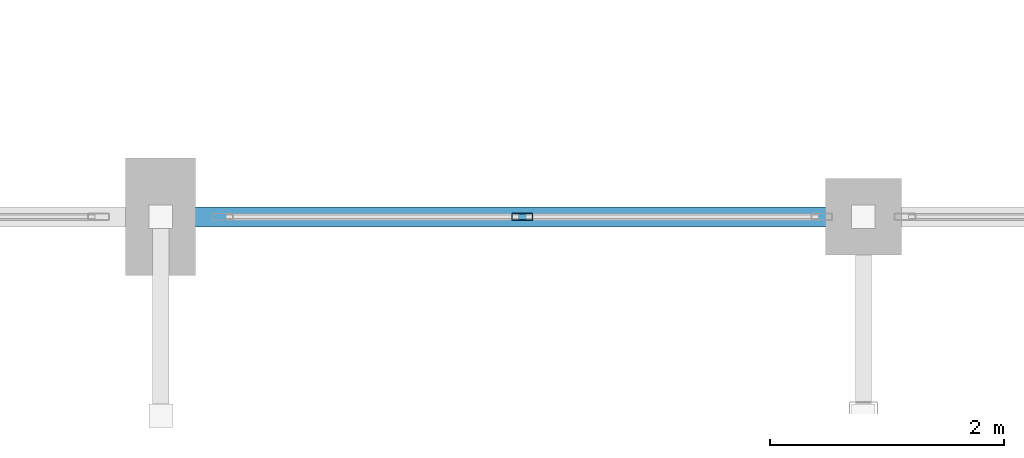
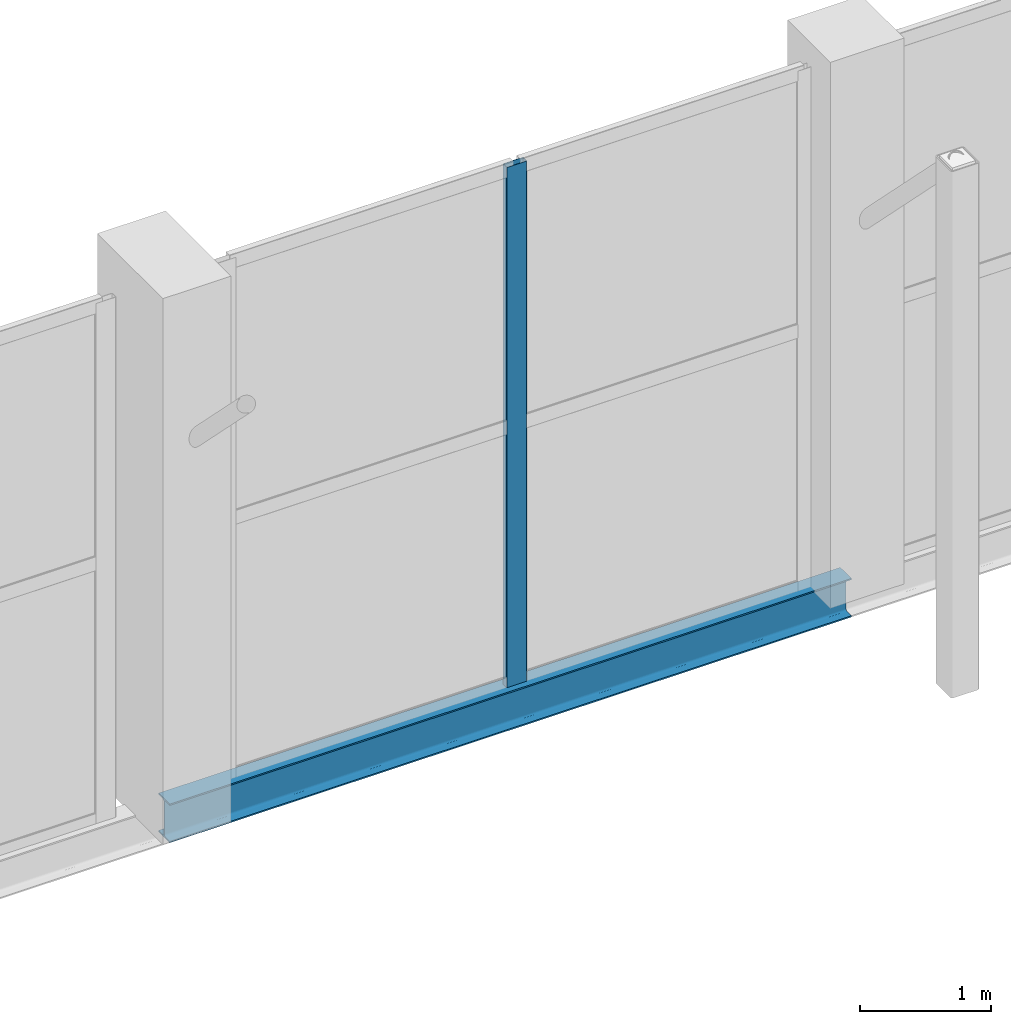
# One storey, part 23 of 127: 1 beam, 1 member, 1 element without a shape of its own.
"""IFC4 building model written with IfcOpenShell, lengths in metres."""

from ifc_helpers import new_model, si_unit, direction, frame, origin, origin_2d, place, context, subcontext, project, spatial, hollow_rectangle, i_section, extrude, material, layer, layer_set, material_profile, profile_set, type_object, element, aggregate, save


model = new_model("IFC4")

# Units and contexts
model_context = context("Model", 3, precision=1e-05, world=origin(), true_north=direction((0.0, 1.0)))
body_context = subcontext(model_context, "Body", "Model", "MODEL_VIEW")
ifc_project = project(units=[si_unit("LENGTHUNIT", "METRE"), si_unit("AREAUNIT", "SQUARE_METRE"), si_unit("VOLUMEUNIT", "CUBIC_METRE"), si_unit("PLANEANGLEUNIT", "RADIAN"), si_unit("MASSUNIT", "GRAM", prefix="KILO")], contexts=[model_context])

# Site, building, storey
site_placement = place(None, origin())
site = spatial("IfcSite", under=ifc_project, at=site_placement, CompositionType="ELEMENT")
building_placement = place(site_placement, origin())
building = spatial("IfcBuilding", under=site, at=building_placement, Name="Dunvalen Ferry Terminal", CompositionType="ELEMENT")
storey_placement = place(building_placement, frame((0.0, 0.0, 5.760009765625)))
storey = spatial("IfcBuildingStorey", under=building, at=storey_placement, Name="L01", CompositionType="ELEMENT", Elevation=5.760009765625)

# Curtain wall, member
ifc_material_1 = material(Name="Anodised marine aluminium and solar-control glazing", Category="aluminium")
ifc_layer = layer(ifc_material_1, 0.219970703125, Name="Anodised marine aluminium and solar-control glazing")
ifc_layer_set = layer_set([ifc_layer], Name="Anodised marine aluminium and solar-control glazing")
curtain_wall_type = type_object("IfcCurtainWallType", Name="ENV-CW-SYS-02", PredefinedType="NOTDEFINED", material=ifc_layer_set)
curtain_wall_placement = place(storey_placement, origin())
curtain_wall = element("IfcCurtainWall", 1, at=curtain_wall_placement, inside=storey, type_object=curtain_wall_type, Name="L01 Curtain Wall CW-V1S-L01-05", PredefinedType="NOTDEFINED")
ifc_material_2 = material(Name="Anodised marine aluminium EN AW-6063 T6", Category="aluminium")
ifc_material_profile_1 = material_profile(ifc_material_2, hollow_rectangle(XDim=0.06005859375, YDim=0.179931640625, WallThickness=0.00341796875, InnerFilletRadius=0.00341796875, OuterFilletRadius=0.007080078125, at=origin_2d()), Name="Anodised marine aluminium EN AW-6063 T6")
ifc_profile_set_1 = profile_set([ifc_material_profile_1], Name="Anodised marine aluminium EN AW-6063 T6")
member_type = type_object("IfcMemberType", Name="ENV-CW-MUL-2", PredefinedType="MULLION", material=ifc_profile_set_1)
member_placement = place(storey_placement, frame((63.08740234375, 50.39990234375, 0.02001953125), z_axis=(0.0, 0.0, 1.0), x_axis=(0.0, 1.0, 0.0)))
member = element("IfcMember", 2, at=member_placement, type_object=member_type, Name="CW-02 mullion 2", PredefinedType="MULLION", context=body_context, shape_type="SweptSolid", body=[
    extrude(hollow_rectangle(XDim=0.06005859375, YDim=0.179931640625, WallThickness=0.00341796875, InnerFilletRadius=0.00341796875, OuterFilletRadius=0.007080078125, at=origin_2d()), origin(), (0.0, 0.0, 1.0), 4.840087890625),
])
aggregate(curtain_wall, [member])

# Beam
ifc_material_3 = material(Name="Steel S355", Category="steel")
ifc_material_profile_2 = material_profile(ifc_material_3, i_section(OverallWidth=0.169921875, OverallDepth=0.360107421875, WebThickness=0.008056640625, FlangeThickness=0.0126953125, FilletRadius=0.01806640625, at=origin_2d()), Name="Steel S355")
ifc_profile_set_2 = profile_set([ifc_material_profile_2], Name="Steel S355")
beam_type = type_object("IfcBeamType", Name="STR-BM-IPE360", PredefinedType="BEAM", material=ifc_profile_set_2)
beam_placement = place(storey_placement, frame((60.0, 50.39990234375, -0.159912109375), z_axis=(1.0, 0.0, 0.0), x_axis=(0.0, 1.0, 0.0)))
element("IfcBeam", 3, at=beam_placement, inside=storey, type_object=beam_type, Name="Departure Hall South Curtain-Wall Girt 05", PredefinedType="BEAM", context=body_context, shape_type="SweptSolid", body=[
    extrude(i_section(OverallWidth=0.169921875, OverallDepth=0.360107421875, WebThickness=0.008056640625, FlangeThickness=0.0126953125, FilletRadius=0.01806640625, at=origin_2d()), origin(), (0.0, 0.0, 1.0), 6.0),
])

save(model, "model.ifc")
